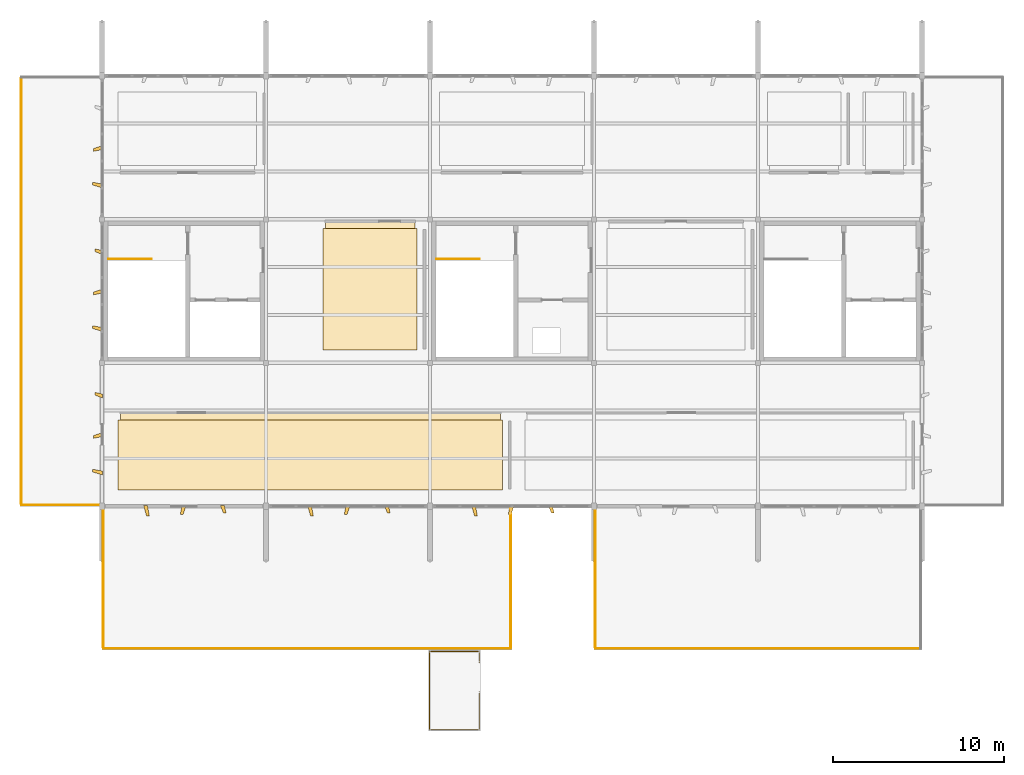
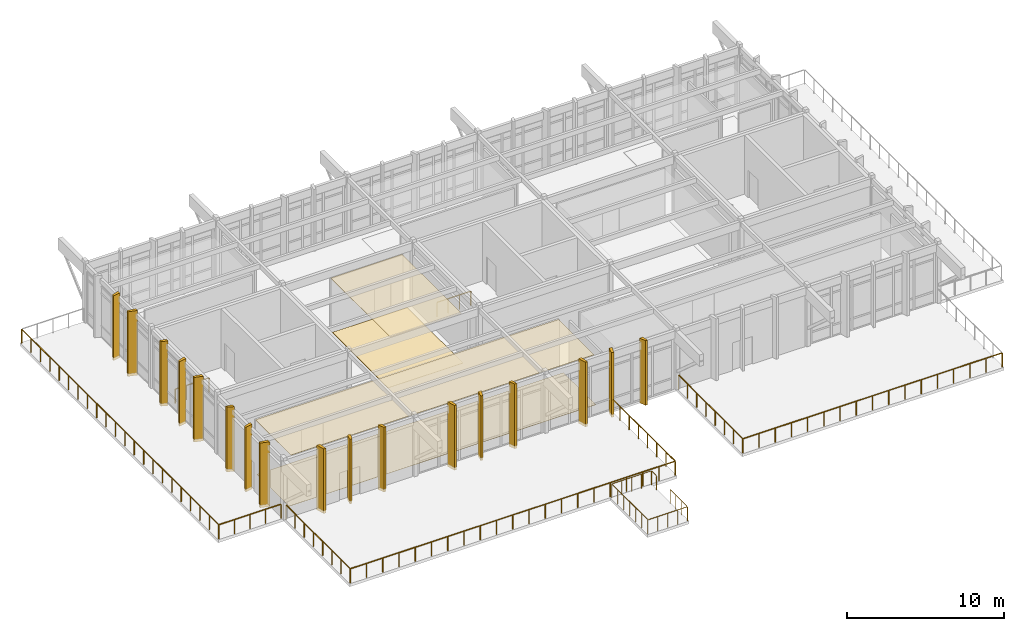
# One storey, part 17 of 19: 21 coverings, 10 railings.
"""IFC4 building model written with IfcOpenShell, lengths in metres."""

from ifc_helpers import new_model, si_unit, direction, frame, origin, origin_2d, place, context, subcontext, project, spatial, polyline, circle, outline, extrude, material, layer, layer_set, type_object, element, save


model = new_model("IFC4")

# Units and contexts
model_context = context("Model", 3, precision=1e-05, world=origin(), true_north=direction((0.0, 1.0)))
body_context = subcontext(model_context, "Body", "Model", "MODEL_VIEW")
ifc_project = project(units=[si_unit("LENGTHUNIT", "METRE"), si_unit("AREAUNIT", "SQUARE_METRE"), si_unit("VOLUMEUNIT", "CUBIC_METRE"), si_unit("PLANEANGLEUNIT", "RADIAN"), si_unit("MASSUNIT", "GRAM", prefix="KILO")], contexts=[model_context])

# Site, building, storey
site_placement = place(None, origin())
site = spatial("IfcSite", under=ifc_project, at=site_placement, CompositionType="ELEMENT")
building_placement = place(site_placement, origin())
building = spatial("IfcBuilding", under=site, at=building_placement, Name="Kolvemor Railside Polytechnic", CompositionType="ELEMENT")
storey_placement = place(building_placement, frame((0.0, 0.0, 27.0)))
storey = spatial("IfcBuildingStorey", under=building, at=storey_placement, Name="L06", CompositionType="ELEMENT", Elevation=27.0)

# Coverings
ifc_material_1 = material(Name="Perforated acoustic mineral-fibre and timber-slat ceiling", Category="wood")
ifc_layer_1 = layer(ifc_material_1, 0.02490234375, Name="COV-CEIL-1")
ifc_layer_set_1 = layer_set([ifc_layer_1], Name="Perforated acoustic mineral-fibre and timber-slat ceiling")
covering_type_1 = type_object("IfcCoveringType", Name="COV-CEIL-1", PredefinedType="CEILING", material=ifc_layer_set_1)
covering_1_placement = place(storey_placement, frame((0.0, 0.0, 3.919921875)))
element("IfcCovering", 1, at=covering_1_placement, inside=storey, type_object=covering_type_1, Name="Library Reading Commons West Acoustic Ceiling", PredefinedType="CEILING", context=body_context, shape_type="SweptSolid", body=[
    extrude(outline(polyline([(68.280029296875, 14.14990234375), (90.52001953125, 14.14990234375), (90.52001953125, 18.679931640625), (68.280029296875, 18.679931640625), (68.280029296875, 14.14990234375)])), origin(), (0.0, 0.0, 1.0), 0.025146484375),
])
ifc_material_2 = material(Name="Perforated acoustic mineral-fibre and timber-slat ceiling", Category="wood")
ifc_layer_2 = layer(ifc_material_2, 0.034912109375, Name="COV-CEIL-3")
ifc_layer_set_2 = layer_set([ifc_layer_2], Name="Perforated acoustic mineral-fibre and timber-slat ceiling")
covering_type_2 = type_object("IfcCoveringType", Name="COV-CEIL-3", PredefinedType="CEILING", material=ifc_layer_set_2)
covering_2_placement = place(storey_placement, frame((0.0, 0.0, 3.909912109375)))
element("IfcCovering", 2, at=covering_2_placement, inside=storey, type_object=covering_type_2, Name="Library Open Stacks Central Acoustic Ceiling", PredefinedType="CEILING", context=body_context, shape_type="SweptSolid", body=[
    extrude(outline(polyline([(80.280029296875, 22.35009765625), (85.52001953125, 22.35009765625), (85.52001953125, 29.8798828125), (80.280029296875, 29.8798828125), (80.280029296875, 22.35009765625)])), origin(), (0.0, 0.0, 1.0), 0.03515625),
])
ifc_material_3 = material(Name="Champagne-bronze PVDF-anodised marine aluminium 5052-H32", Category="aluminium")
ifc_layer_3 = layer(ifc_material_3, 0.179931640625, Name="COV-FIN-CHAMP")
ifc_layer_set_3 = layer_set([ifc_layer_3], Name="Champagne-bronze PVDF-anodised marine aluminium 5052-H32")
covering_type_3 = type_object("IfcCoveringType", Name="COV-FIN-CHAMP", PredefinedType="CLADDING", material=ifc_layer_set_3)
covering_3_placement = place(storey_placement, frame((0.0, 0.0, -0.219970703125)))
element("IfcCovering", 3, at=covering_3_placement, inside=storey, type_object=covering_type_3, Name="Pleated Solar Fin L06-0619", PredefinedType="CLADDING", context=body_context, shape_type="SweptSolid", body=[
    extrude(outline(polyline([(69.635009765625, 13.235107421875), (69.864990234375, 13.235107421875), (69.969970703125, 12.635009765625), (69.81005859375, 12.635009765625), (69.635009765625, 13.235107421875)])), origin(), (0.0, 0.0, 1.0), 5.02001953125),
])
covering_4_placement = place(storey_placement, frame((0.0, 0.0, -0.219970703125)))
element("IfcCovering", 4, at=covering_4_placement, inside=storey, type_object=covering_type_3, Name="Pleated Solar Fin L06-0620", PredefinedType="CLADDING", context=body_context, shape_type="SweptSolid", body=[
    extrude(outline(polyline([(71.885009765625, 13.235107421875), (72.114990234375, 13.235107421875), (71.93994140625, 12.715087890625), (71.780029296875, 12.715087890625), (71.885009765625, 13.235107421875)])), origin(), (0.0, 0.0, 1.0), 5.02001953125),
])
covering_5_placement = place(storey_placement, frame((0.0, 0.0, -0.219970703125)))
element("IfcCovering", 5, at=covering_5_placement, inside=storey, type_object=covering_type_3, Name="Pleated Solar Fin L06-0621", PredefinedType="CLADDING", context=body_context, shape_type="SweptSolid", body=[
    extrude(outline(polyline([(74.135009765625, 13.235107421875), (74.364990234375, 13.235107421875), (74.469970703125, 12.794921875), (74.31005859375, 12.794921875), (74.135009765625, 13.235107421875)])), origin(), (0.0, 0.0, 1.0), 5.02001953125),
])
covering_6_placement = place(storey_placement, frame((0.0, 0.0, -0.219970703125)))
element("IfcCovering", 6, at=covering_6_placement, inside=storey, type_object=covering_type_3, Name="Pleated Solar Fin L06-0625", PredefinedType="CLADDING", context=body_context, shape_type="SweptSolid", body=[
    extrude(outline(polyline([(79.235107421875, 13.235107421875), (79.465087890625, 13.235107421875), (79.570068359375, 12.635009765625), (79.409912109375, 12.635009765625), (79.235107421875, 13.235107421875)])), origin(), (0.0, 0.0, 1.0), 5.02001953125),
])
covering_7_placement = place(storey_placement, frame((0.0, 0.0, -0.219970703125)))
element("IfcCovering", 7, at=covering_7_placement, inside=storey, type_object=covering_type_3, Name="Pleated Solar Fin L06-0626", PredefinedType="CLADDING", context=body_context, shape_type="SweptSolid", body=[
    extrude(outline(polyline([(81.485107421875, 13.235107421875), (81.715087890625, 13.235107421875), (81.5400390625, 12.715087890625), (81.3798828125, 12.715087890625), (81.485107421875, 13.235107421875)])), origin(), (0.0, 0.0, 1.0), 5.02001953125),
])
covering_8_placement = place(storey_placement, frame((0.0, 0.0, -0.219970703125)))
element("IfcCovering", 8, at=covering_8_placement, inside=storey, type_object=covering_type_3, Name="Pleated Solar Fin L06-0627", PredefinedType="CLADDING", context=body_context, shape_type="SweptSolid", body=[
    extrude(outline(polyline([(83.735107421875, 13.235107421875), (83.965087890625, 13.235107421875), (84.070068359375, 12.794921875), (83.909912109375, 12.794921875), (83.735107421875, 13.235107421875)])), origin(), (0.0, 0.0, 1.0), 5.02001953125),
])
covering_9_placement = place(storey_placement, frame((0.0, 0.0, -0.219970703125)))
element("IfcCovering", 9, at=covering_9_placement, inside=storey, type_object=covering_type_3, Name="Pleated Solar Fin L06-0631", PredefinedType="CLADDING", context=body_context, shape_type="SweptSolid", body=[
    extrude(outline(polyline([(88.8349609375, 13.235107421875), (89.06494140625, 13.235107421875), (89.169921875, 12.635009765625), (89.010009765625, 12.635009765625), (88.8349609375, 13.235107421875)])), origin(), (0.0, 0.0, 1.0), 5.02001953125),
])
covering_10_placement = place(storey_placement, frame((0.0, 0.0, -0.219970703125)))
element("IfcCovering", 10, at=covering_10_placement, inside=storey, type_object=covering_type_3, Name="Pleated Solar Fin L06-0632", PredefinedType="CLADDING", context=body_context, shape_type="SweptSolid", body=[
    extrude(outline(polyline([(91.0849609375, 13.235107421875), (91.31494140625, 13.235107421875), (91.139892578125, 12.715087890625), (90.97998046875, 12.715087890625), (91.0849609375, 13.235107421875)])), origin(), (0.0, 0.0, 1.0), 5.02001953125),
])
covering_11_placement = place(storey_placement, frame((0.0, 0.0, -0.219970703125)))
element("IfcCovering", 11, at=covering_11_placement, inside=storey, type_object=covering_type_3, Name="Pleated Solar Fin L06-0633", PredefinedType="CLADDING", context=body_context, shape_type="SweptSolid", body=[
    extrude(outline(polyline([(93.3349609375, 13.235107421875), (93.56494140625, 13.235107421875), (93.669921875, 12.794921875), (93.510009765625, 12.794921875), (93.3349609375, 13.235107421875)])), origin(), (0.0, 0.0, 1.0), 5.02001953125),
])
covering_12_placement = place(storey_placement, frame((0.0, 0.0, -0.219970703125)))
element("IfcCovering", 12, at=covering_12_placement, inside=storey, type_object=covering_type_3, Name="Pleated Solar Fin L06-0649", PredefinedType="CLADDING", context=body_context, shape_type="SweptSolid", body=[
    extrude(outline(polyline([(67.235107421875, 15.034912109375), (67.235107421875, 15.264892578125), (66.635986328125, 15.3701171875), (66.635986328125, 15.2099609375), (67.235107421875, 15.034912109375)])), origin(), (0.0, 0.0, 1.0), 5.02001953125),
])
covering_13_placement = place(storey_placement, frame((0.0, 0.0, -0.219970703125)))
element("IfcCovering", 13, at=covering_13_placement, inside=storey, type_object=covering_type_3, Name="Pleated Solar Fin L06-0650", PredefinedType="CLADDING", context=body_context, shape_type="SweptSolid", body=[
    extrude(outline(polyline([(67.235107421875, 17.284912109375), (67.235107421875, 17.514892578125), (66.715087890625, 17.340087890625), (66.715087890625, 17.179931640625), (67.235107421875, 17.284912109375)])), origin(), (0.0, 0.0, 1.0), 5.02001953125),
])
covering_14_placement = place(storey_placement, frame((0.0, 0.0, -0.219970703125)))
element("IfcCovering", 14, at=covering_14_placement, inside=storey, type_object=covering_type_3, Name="Pleated Solar Fin L06-0651", PredefinedType="CLADDING", context=body_context, shape_type="SweptSolid", body=[
    extrude(outline(polyline([(67.235107421875, 19.534912109375), (67.235107421875, 19.764892578125), (66.7939453125, 19.8701171875), (66.7939453125, 19.7099609375), (67.235107421875, 19.534912109375)])), origin(), (0.0, 0.0, 1.0), 5.02001953125),
])
covering_15_placement = place(storey_placement, frame((0.0, 0.0, -0.219970703125)))
element("IfcCovering", 15, at=covering_15_placement, inside=storey, type_object=covering_type_3, Name="Pleated Solar Fin L06-0655", PredefinedType="CLADDING", context=body_context, shape_type="SweptSolid", body=[
    extrude(outline(polyline([(67.235107421875, 23.43505859375), (67.235107421875, 23.6650390625), (66.635986328125, 23.77001953125), (66.635986328125, 23.610107421875), (67.235107421875, 23.43505859375)])), origin(), (0.0, 0.0, 1.0), 5.02001953125),
])
covering_16_placement = place(storey_placement, frame((0.0, 0.0, -0.219970703125)))
element("IfcCovering", 16, at=covering_16_placement, inside=storey, type_object=covering_type_3, Name="Pleated Solar Fin L06-0656", PredefinedType="CLADDING", context=body_context, shape_type="SweptSolid", body=[
    extrude(outline(polyline([(67.235107421875, 25.68505859375), (67.235107421875, 25.9150390625), (66.715087890625, 25.739990234375), (66.715087890625, 25.580078125), (67.235107421875, 25.68505859375)])), origin(), (0.0, 0.0, 1.0), 5.02001953125),
])
covering_17_placement = place(storey_placement, frame((0.0, 0.0, -0.219970703125)))
element("IfcCovering", 17, at=covering_17_placement, inside=storey, type_object=covering_type_3, Name="Pleated Solar Fin L06-0657", PredefinedType="CLADDING", context=body_context, shape_type="SweptSolid", body=[
    extrude(outline(polyline([(67.235107421875, 27.93505859375), (67.235107421875, 28.1650390625), (66.7939453125, 28.27001953125), (66.7939453125, 28.110107421875), (67.235107421875, 27.93505859375)])), origin(), (0.0, 0.0, 1.0), 5.02001953125),
])
covering_18_placement = place(storey_placement, frame((0.0, 0.0, -0.219970703125)))
element("IfcCovering", 18, at=covering_18_placement, inside=storey, type_object=covering_type_3, Name="Pleated Solar Fin L06-0661", PredefinedType="CLADDING", context=body_context, shape_type="SweptSolid", body=[
    extrude(outline(polyline([(67.235107421875, 31.8349609375), (67.235107421875, 32.06494140625), (66.635986328125, 32.169921875), (66.635986328125, 32.010009765625), (67.235107421875, 31.8349609375)])), origin(), (0.0, 0.0, 1.0), 5.02001953125),
])
covering_19_placement = place(storey_placement, frame((0.0, 0.0, -0.219970703125)))
element("IfcCovering", 19, at=covering_19_placement, inside=storey, type_object=covering_type_3, Name="Pleated Solar Fin L06-0662", PredefinedType="CLADDING", context=body_context, shape_type="SweptSolid", body=[
    extrude(outline(polyline([(67.235107421875, 34.0849609375), (67.235107421875, 34.31494140625), (66.715087890625, 34.139892578125), (66.715087890625, 33.97998046875), (67.235107421875, 34.0849609375)])), origin(), (0.0, 0.0, 1.0), 5.02001953125),
])
ifc_material_4 = material(Name="Polished coral-aggregate terrazzo and laboratory epoxy flooring")
ifc_layer_4 = layer(ifc_material_4, 0.02001953125, Name="COV-FLR-1")
ifc_layer_set_4 = layer_set([ifc_layer_4], Name="Polished coral-aggregate terrazzo and laboratory epoxy flooring")
covering_type_4 = type_object("IfcCoveringType", Name="COV-FLR-1", PredefinedType="FLOORING", material=ifc_layer_set_4)
covering_20_placement = place(storey_placement, origin())
element("IfcCovering", 20, at=covering_20_placement, inside=storey, type_object=covering_type_4, Name="Library Reading Commons West Floor Finish", PredefinedType="FLOORING", context=body_context, shape_type="SweptSolid", body=[
    extrude(outline(polyline([(68.14990234375, 14.14990234375), (90.64990234375, 14.14990234375), (90.64990234375, 18.25), (68.14990234375, 18.25), (68.14990234375, 14.14990234375)])), origin(), (0.0, 0.0, 1.0), 0.02001953125),
])
ifc_material_5 = material(Name="Polished coral-aggregate terrazzo and laboratory epoxy flooring")
ifc_layer_5 = layer(ifc_material_5, 0.030029296875, Name="COV-FLR-3")
ifc_layer_set_5 = layer_set([ifc_layer_5], Name="Polished coral-aggregate terrazzo and laboratory epoxy flooring")
covering_type_5 = type_object("IfcCoveringType", Name="COV-FLR-3", PredefinedType="FLOORING", material=ifc_layer_set_5)
covering_21_placement = place(storey_placement, origin())
element("IfcCovering", 21, at=covering_21_placement, inside=storey, type_object=covering_type_5, Name="Library Open Stacks Central Floor Finish", PredefinedType="FLOORING", context=body_context, shape_type="SweptSolid", body=[
    extrude(outline(polyline([(80.14990234375, 22.35009765625), (85.64990234375, 22.35009765625), (85.64990234375, 29.449951171875), (80.14990234375, 29.449951171875), (80.14990234375, 22.35009765625)])), origin(), (0.0, 0.0, 1.0), 0.030029296875),
])

# Railings
ifc_material_6 = material(Name="AISI 316 marine stainless-steel balustrade guard", Category="steel")
railing_type = type_object("IfcRailingType", Name="RLG-GUARD-1120", PredefinedType="BALUSTRADE", material=ifc_material_6)
railing_1_placement = place(storey_placement, frame((67.280029296875, 4.8798828125, 0.0)))
element("IfcRailing", 22, at=railing_1_placement, inside=storey, type_object=railing_type, Name="Corner Study Terrace L06-S S Guard GR-042", PredefinedType="BALUSTRADE", context=body_context, shape_type="SweptSolid", body=[
    extrude(circle(Radius=0.02392578125, at=origin_2d()), frame((0.054931640625, 0.0, 1.09619140625), z_axis=(1.0, 0.0, 0.0), x_axis=(0.0, 1.0, 0.0)), (0.0, 0.0, 1.0), 23.72998046875),
    extrude(circle(Radius=0.02099609375, at=origin_2d()), origin(), (0.0, 0.0, 1.0), 1.05712890625),
    extrude(circle(Radius=0.02099609375, at=origin_2d()), frame((1.19189453125, 0.0, 0.0)), (0.0, 0.0, 1.0), 1.05712890625),
    extrude(circle(Radius=0.02099609375, at=origin_2d()), frame((2.384033203125, 0.0, 0.0)), (0.0, 0.0, 1.0), 1.05712890625),
    extrude(circle(Radius=0.02099609375, at=origin_2d()), frame((3.575927734375, 0.0, 0.0)), (0.0, 0.0, 1.0), 1.05712890625),
    extrude(circle(Radius=0.02099609375, at=origin_2d()), frame((4.76806640625, 0.0, 0.0)), (0.0, 0.0, 1.0), 1.05712890625),
    extrude(circle(Radius=0.02099609375, at=origin_2d()), frame((5.9599609375, 0.0, 0.0)), (0.0, 0.0, 1.0), 1.05712890625),
    extrude(circle(Radius=0.02099609375, at=origin_2d()), frame((7.152099609375, 0.0, 0.0)), (0.0, 0.0, 1.0), 1.05712890625),
    extrude(circle(Radius=0.02099609375, at=origin_2d()), frame((8.343994140625, 0.0, 0.0)), (0.0, 0.0, 1.0), 1.05712890625),
    extrude(circle(Radius=0.02099609375, at=origin_2d()), frame((9.5361328125, 0.0, 0.0)), (0.0, 0.0, 1.0), 1.05712890625),
    extrude(circle(Radius=0.02099609375, at=origin_2d()), frame((10.72802734375, 0.0, 0.0)), (0.0, 0.0, 1.0), 1.05712890625),
    extrude(circle(Radius=0.02099609375, at=origin_2d()), frame((11.919921875, 0.0, 0.0)), (0.0, 0.0, 1.0), 1.05712890625),
    extrude(circle(Radius=0.02099609375, at=origin_2d()), frame((13.112060546875, 0.0, 0.0)), (0.0, 0.0, 1.0), 1.05712890625),
    extrude(circle(Radius=0.02099609375, at=origin_2d()), frame((14.303955078125, 0.0, 0.0)), (0.0, 0.0, 1.0), 1.05712890625),
    extrude(circle(Radius=0.02099609375, at=origin_2d()), frame((15.49609375, 0.0, 0.0)), (0.0, 0.0, 1.0), 1.05712890625),
    extrude(circle(Radius=0.02099609375, at=origin_2d()), frame((16.68798828125, 0.0, 0.0)), (0.0, 0.0, 1.0), 1.05712890625),
    extrude(circle(Radius=0.02099609375, at=origin_2d()), frame((17.880126953125, 0.0, 0.0)), (0.0, 0.0, 1.0), 1.05712890625),
    extrude(circle(Radius=0.02099609375, at=origin_2d()), frame((19.072021484375, 0.0, 0.0)), (0.0, 0.0, 1.0), 1.05712890625),
    extrude(circle(Radius=0.02099609375, at=origin_2d()), frame((20.26416015625, 0.0, 0.0)), (0.0, 0.0, 1.0), 1.05712890625),
    extrude(circle(Radius=0.02099609375, at=origin_2d()), frame((21.4560546875, 0.0, 0.0)), (0.0, 0.0, 1.0), 1.05712890625),
    extrude(circle(Radius=0.02099609375, at=origin_2d()), frame((22.648193359375, 0.0, 0.0)), (0.0, 0.0, 1.0), 1.05712890625),
    extrude(circle(Radius=0.02099609375, at=origin_2d()), frame((23.840087890625, 0.0, 0.0)), (0.0, 0.0, 1.0), 1.05712890625),
])
railing_2_placement = place(storey_placement, frame((91.1201171875, 4.8798828125, 0.0)))
element("IfcRailing", 23, at=railing_2_placement, inside=storey, type_object=railing_type, Name="Corner Study Terrace L06-S E Guard GR-043", PredefinedType="BALUSTRADE", context=body_context, shape_type="SweptSolid", body=[
    extrude(circle(Radius=0.02392578125, at=origin_2d()), frame((0.0, 0.054931640625, 1.09619140625), z_axis=(0.0, 1.0, 0.0), x_axis=(-1.0, 0.0, 0.0)), (0.0, 0.0, 1.0), 8.070068359375),
    extrude(circle(Radius=0.02099609375, at=origin_2d()), origin(), (0.0, 0.0, 1.0), 1.05712890625),
    extrude(circle(Radius=0.02099609375, at=origin_2d()), frame((0.0, 1.168701171875, 0.0)), (0.0, 0.0, 1.0), 1.05712890625),
    extrude(circle(Radius=0.02099609375, at=origin_2d()), frame((0.0, 2.337158203125, 0.0)), (0.0, 0.0, 1.0), 1.05712890625),
    extrude(circle(Radius=0.02099609375, at=origin_2d()), frame((0.0, 3.505859375, 0.0)), (0.0, 0.0, 1.0), 1.05712890625),
    extrude(circle(Radius=0.02099609375, at=origin_2d()), frame((0.0, 4.67431640625, 0.0)), (0.0, 0.0, 1.0), 1.05712890625),
    extrude(circle(Radius=0.02099609375, at=origin_2d()), frame((0.0, 5.843017578125, 0.0)), (0.0, 0.0, 1.0), 1.05712890625),
    extrude(circle(Radius=0.02099609375, at=origin_2d()), frame((0.0, 7.011474609375, 0.0)), (0.0, 0.0, 1.0), 1.05712890625),
    extrude(circle(Radius=0.02099609375, at=origin_2d()), frame((0.0, 8.18017578125, 0.0)), (0.0, 0.0, 1.0), 1.05712890625),
])
railing_3_placement = place(storey_placement, frame((67.280029296875, 13.06005859375, 0.0)))
element("IfcRailing", 24, at=railing_3_placement, inside=storey, type_object=railing_type, Name="Corner Study Terrace L06-S W Guard GR-044", PredefinedType="BALUSTRADE", context=body_context, shape_type="SweptSolid", body=[
    extrude(circle(Radius=0.02392578125, at=origin_2d()), frame((0.0, -0.054931640625, 1.09619140625), z_axis=(0.0, -1.0, 0.0), x_axis=(1.0, 0.0, 0.0)), (0.0, 0.0, 1.0), 8.070068359375),
    extrude(circle(Radius=0.02099609375, at=origin_2d()), origin(), (0.0, 0.0, 1.0), 1.05712890625),
    extrude(circle(Radius=0.02099609375, at=origin_2d()), frame((0.0, -1.168701171875, 0.0)), (0.0, 0.0, 1.0), 1.05712890625),
    extrude(circle(Radius=0.02099609375, at=origin_2d()), frame((0.0, -2.337158203125, 0.0)), (0.0, 0.0, 1.0), 1.05712890625),
    extrude(circle(Radius=0.02099609375, at=origin_2d()), frame((0.0, -3.505859375, 0.0)), (0.0, 0.0, 1.0), 1.05712890625),
    extrude(circle(Radius=0.02099609375, at=origin_2d()), frame((0.0, -4.67431640625, 0.0)), (0.0, 0.0, 1.0), 1.05712890625),
    extrude(circle(Radius=0.02099609375, at=origin_2d()), frame((0.0, -5.843017578125, 0.0)), (0.0, 0.0, 1.0), 1.05712890625),
    extrude(circle(Radius=0.02099609375, at=origin_2d()), frame((0.0, -7.011474609375, 0.0)), (0.0, 0.0, 1.0), 1.05712890625),
    extrude(circle(Radius=0.02099609375, at=origin_2d()), frame((0.0, -8.18017578125, 0.0)), (0.0, 0.0, 1.0), 1.05712890625),
])
railing_4_placement = place(storey_placement, frame((96.080078125, 4.8798828125, 0.0)))
element("IfcRailing", 25, at=railing_4_placement, inside=storey, type_object=railing_type, Name="Corner Study Terrace L06-SE S Guard GR-045", PredefinedType="BALUSTRADE", context=body_context, shape_type="SweptSolid", body=[
    extrude(circle(Radius=0.02392578125, at=origin_2d()), frame((0.054931640625, 0.0, 1.09619140625), z_axis=(1.0, 0.0, 0.0), x_axis=(0.0, 1.0, 0.0)), (0.0, 0.0, 1.0), 18.929931640625),
    extrude(circle(Radius=0.02099609375, at=origin_2d()), origin(), (0.0, 0.0, 1.0), 1.05712890625),
    extrude(circle(Radius=0.02099609375, at=origin_2d()), frame((1.18994140625, 0.0, 0.0)), (0.0, 0.0, 1.0), 1.05712890625),
    extrude(circle(Radius=0.02099609375, at=origin_2d()), frame((2.3798828125, 0.0, 0.0)), (0.0, 0.0, 1.0), 1.05712890625),
    extrude(circle(Radius=0.02099609375, at=origin_2d()), frame((3.570068359375, 0.0, 0.0)), (0.0, 0.0, 1.0), 1.05712890625),
    extrude(circle(Radius=0.02099609375, at=origin_2d()), frame((4.760009765625, 0.0, 0.0)), (0.0, 0.0, 1.0), 1.05712890625),
    extrude(circle(Radius=0.02099609375, at=origin_2d()), frame((5.949951171875, 0.0, 0.0)), (0.0, 0.0, 1.0), 1.05712890625),
    extrude(circle(Radius=0.02099609375, at=origin_2d()), frame((7.14013671875, 0.0, 0.0)), (0.0, 0.0, 1.0), 1.05712890625),
    extrude(circle(Radius=0.02099609375, at=origin_2d()), frame((8.330078125, 0.0, 0.0)), (0.0, 0.0, 1.0), 1.05712890625),
    extrude(circle(Radius=0.02099609375, at=origin_2d()), frame((9.52001953125, 0.0, 0.0)), (0.0, 0.0, 1.0), 1.05712890625),
    extrude(circle(Radius=0.02099609375, at=origin_2d()), frame((10.7099609375, 0.0, 0.0)), (0.0, 0.0, 1.0), 1.05712890625),
    extrude(circle(Radius=0.02099609375, at=origin_2d()), frame((11.89990234375, 0.0, 0.0)), (0.0, 0.0, 1.0), 1.05712890625),
    extrude(circle(Radius=0.02099609375, at=origin_2d()), frame((13.090087890625, 0.0, 0.0)), (0.0, 0.0, 1.0), 1.05712890625),
    extrude(circle(Radius=0.02099609375, at=origin_2d()), frame((14.280029296875, 0.0, 0.0)), (0.0, 0.0, 1.0), 1.05712890625),
    extrude(circle(Radius=0.02099609375, at=origin_2d()), frame((15.469970703125, 0.0, 0.0)), (0.0, 0.0, 1.0), 1.05712890625),
    extrude(circle(Radius=0.02099609375, at=origin_2d()), frame((16.66015625, 0.0, 0.0)), (0.0, 0.0, 1.0), 1.05712890625),
    extrude(circle(Radius=0.02099609375, at=origin_2d()), frame((17.85009765625, 0.0, 0.0)), (0.0, 0.0, 1.0), 1.05712890625),
    extrude(circle(Radius=0.02099609375, at=origin_2d()), frame((19.0400390625, 0.0, 0.0)), (0.0, 0.0, 1.0), 1.05712890625),
])
railing_5_placement = place(storey_placement, frame((96.080078125, 13.06005859375, 0.0)))
element("IfcRailing", 26, at=railing_5_placement, inside=storey, type_object=railing_type, Name="Corner Study Terrace L06-SE W Guard GR-047", PredefinedType="BALUSTRADE", context=body_context, shape_type="SweptSolid", body=[
    extrude(circle(Radius=0.02392578125, at=origin_2d()), frame((0.0, -0.054931640625, 1.09619140625), z_axis=(0.0, -1.0, 0.0), x_axis=(1.0, 0.0, 0.0)), (0.0, 0.0, 1.0), 8.070068359375),
    extrude(circle(Radius=0.02099609375, at=origin_2d()), origin(), (0.0, 0.0, 1.0), 1.05712890625),
    extrude(circle(Radius=0.02099609375, at=origin_2d()), frame((0.0, -1.168701171875, 0.0)), (0.0, 0.0, 1.0), 1.05712890625),
    extrude(circle(Radius=0.02099609375, at=origin_2d()), frame((0.0, -2.337158203125, 0.0)), (0.0, 0.0, 1.0), 1.05712890625),
    extrude(circle(Radius=0.02099609375, at=origin_2d()), frame((0.0, -3.505859375, 0.0)), (0.0, 0.0, 1.0), 1.05712890625),
    extrude(circle(Radius=0.02099609375, at=origin_2d()), frame((0.0, -4.67431640625, 0.0)), (0.0, 0.0, 1.0), 1.05712890625),
    extrude(circle(Radius=0.02099609375, at=origin_2d()), frame((0.0, -5.843017578125, 0.0)), (0.0, 0.0, 1.0), 1.05712890625),
    extrude(circle(Radius=0.02099609375, at=origin_2d()), frame((0.0, -7.011474609375, 0.0)), (0.0, 0.0, 1.0), 1.05712890625),
    extrude(circle(Radius=0.02099609375, at=origin_2d()), frame((0.0, -8.18017578125, 0.0)), (0.0, 0.0, 1.0), 1.05712890625),
])
railing_6_placement = place(storey_placement, frame((62.47998046875, 13.280029296875, 0.0)))
element("IfcRailing", 27, at=railing_6_placement, inside=storey, type_object=railing_type, Name="Corner Study Terrace L06-W S Guard GR-048", PredefinedType="BALUSTRADE", context=body_context, shape_type="SweptSolid", body=[
    extrude(circle(Radius=0.02392578125, at=origin_2d()), frame((0.054931640625, 0.0, 1.09619140625), z_axis=(1.0, 0.0, 0.0), x_axis=(0.0, 1.0, 0.0)), (0.0, 0.0, 1.0), 4.469970703125),
    extrude(circle(Radius=0.02099609375, at=origin_2d()), origin(), (0.0, 0.0, 1.0), 1.05712890625),
    extrude(circle(Radius=0.02099609375, at=origin_2d()), frame((1.14501953125, 0.0, 0.0)), (0.0, 0.0, 1.0), 1.05712890625),
    extrude(circle(Radius=0.02099609375, at=origin_2d()), frame((2.2900390625, 0.0, 0.0)), (0.0, 0.0, 1.0), 1.05712890625),
    extrude(circle(Radius=0.02099609375, at=origin_2d()), frame((3.43505859375, 0.0, 0.0)), (0.0, 0.0, 1.0), 1.05712890625),
    extrude(circle(Radius=0.02099609375, at=origin_2d()), frame((4.580078125, 0.0, 0.0)), (0.0, 0.0, 1.0), 1.05712890625),
])
railing_7_placement = place(storey_placement, frame((62.47998046875, 38.320068359375, 0.0)))
element("IfcRailing", 28, at=railing_7_placement, inside=storey, type_object=railing_type, Name="Corner Study Terrace L06-W W Guard GR-050", PredefinedType="BALUSTRADE", context=body_context, shape_type="SweptSolid", body=[
    extrude(circle(Radius=0.02392578125, at=origin_2d()), frame((0.0, -0.054931640625, 1.09619140625), z_axis=(0.0, -1.0, 0.0), x_axis=(1.0, 0.0, 0.0)), (0.0, 0.0, 1.0), 24.929931640625),
    extrude(circle(Radius=0.02099609375, at=origin_2d()), origin(), (0.0, 0.0, 1.0), 1.05712890625),
    extrude(circle(Radius=0.02099609375, at=origin_2d()), frame((0.0, -1.1923828125, 0.0)), (0.0, 0.0, 1.0), 1.05712890625),
    extrude(circle(Radius=0.02099609375, at=origin_2d()), frame((0.0, -2.384765625, 0.0)), (0.0, 0.0, 1.0), 1.05712890625),
    extrude(circle(Radius=0.02099609375, at=origin_2d()), frame((0.0, -3.5771484375, 0.0)), (0.0, 0.0, 1.0), 1.05712890625),
    extrude(circle(Radius=0.02099609375, at=origin_2d()), frame((0.0, -4.76953125, 0.0)), (0.0, 0.0, 1.0), 1.05712890625),
    extrude(circle(Radius=0.02099609375, at=origin_2d()), frame((0.0, -5.9619140625, 0.0)), (0.0, 0.0, 1.0), 1.05712890625),
    extrude(circle(Radius=0.02099609375, at=origin_2d()), frame((0.0, -7.154296875, 0.0)), (0.0, 0.0, 1.0), 1.05712890625),
    extrude(circle(Radius=0.02099609375, at=origin_2d()), frame((0.0, -8.3466796875, 0.0)), (0.0, 0.0, 1.0), 1.05712890625),
    extrude(circle(Radius=0.02099609375, at=origin_2d()), frame((0.0, -9.5390625, 0.0)), (0.0, 0.0, 1.0), 1.05712890625),
    extrude(circle(Radius=0.02099609375, at=origin_2d()), frame((0.0, -10.7314453125, 0.0)), (0.0, 0.0, 1.0), 1.05712890625),
    extrude(circle(Radius=0.02099609375, at=origin_2d()), frame((0.0, -11.923828125, 0.0)), (0.0, 0.0, 1.0), 1.05712890625),
    extrude(circle(Radius=0.02099609375, at=origin_2d()), frame((0.0, -13.1162109375, 0.0)), (0.0, 0.0, 1.0), 1.05712890625),
    extrude(circle(Radius=0.02099609375, at=origin_2d()), frame((0.0, -14.30859375, 0.0)), (0.0, 0.0, 1.0), 1.05712890625),
    extrude(circle(Radius=0.02099609375, at=origin_2d()), frame((0.0, -15.5009765625, 0.0)), (0.0, 0.0, 1.0), 1.05712890625),
    extrude(circle(Radius=0.02099609375, at=origin_2d()), frame((0.0, -16.693359375, 0.0)), (0.0, 0.0, 1.0), 1.05712890625),
    extrude(circle(Radius=0.02099609375, at=origin_2d()), frame((0.0, -17.8857421875, 0.0)), (0.0, 0.0, 1.0), 1.05712890625),
    extrude(circle(Radius=0.02099609375, at=origin_2d()), frame((0.0, -19.078125, 0.0)), (0.0, 0.0, 1.0), 1.05712890625),
    extrude(circle(Radius=0.02099609375, at=origin_2d()), frame((0.0, -20.2705078125, 0.0)), (0.0, 0.0, 1.0), 1.05712890625),
    extrude(circle(Radius=0.02099609375, at=origin_2d()), frame((0.0, -21.462890625, 0.0)), (0.0, 0.0, 1.0), 1.05712890625),
    extrude(circle(Radius=0.02099609375, at=origin_2d()), frame((0.0, -22.6552734375, 0.0)), (0.0, 0.0, 1.0), 1.05712890625),
    extrude(circle(Radius=0.02099609375, at=origin_2d()), frame((0.0, -23.84765625, 0.0)), (0.0, 0.0, 1.0), 1.05712890625),
    extrude(circle(Radius=0.02099609375, at=origin_2d()), frame((0.0, -25.0400390625, 0.0)), (0.0, 0.0, 1.0), 1.05712890625),
])
for number, where, name in (
    (29, (67.60009765625, 27.679931640625, 0.0), "ST-1 Top Well Guard L06"),
    (30, (86.800048828125, 27.679931640625, 0.0), "ST-3 Top Well Guard L06"),
):
    element("IfcRailing", number, at=place(storey_placement, frame(where)), inside=storey, type_object=railing_type, Name=name, PredefinedType="BALUSTRADE", context=body_context, shape_type="SweptSolid", body=[
        extrude(circle(Radius=0.02392578125, at=origin_2d()), frame((0.054931640625, 0.0, 1.09619140625), z_axis=(1.0, 0.0, 0.0), x_axis=(0.0, 1.0, 0.0)), (0.0, 0.0, 1.0), 2.369873046875),
        extrude(circle(Radius=0.02099609375, at=origin_2d()), origin(), (0.0, 0.0, 1.0), 1.05712890625),
        extrude(circle(Radius=0.02099609375, at=origin_2d()), frame((0.82666015625, 0.0, 0.0)), (0.0, 0.0, 1.0), 1.05712890625),
        extrude(circle(Radius=0.02099609375, at=origin_2d()), frame((1.6533203125, 0.0, 0.0)), (0.0, 0.0, 1.0), 1.05712890625),
        extrude(circle(Radius=0.02099609375, at=origin_2d()), frame((2.47998046875, 0.0, 0.0)), (0.0, 0.0, 1.0), 1.05712890625),
    ])
railing_8_placement = place(storey_placement, frame((89.280029296875, 2.340087890625, 0.0)))
element("IfcRailing", 31, at=railing_8_placement, inside=storey, type_object=railing_type, Name="ST-EXT Arrival Landing Perimeter Guard L06", PredefinedType="BALUSTRADE", context=body_context, shape_type="SweptSolid", body=[
    extrude(circle(Radius=0.02392578125, at=origin_2d()), frame((0.0, -0.054931640625, 1.09619140625), z_axis=(0.0, -1.0, 0.0), x_axis=(1.0, 0.0, 0.0)), (0.0, 0.0, 1.0), 2.10986328125),
    extrude(circle(Radius=0.02392578125, at=origin_2d()), frame((-0.054931640625, -2.219970703125, 1.09619140625), z_axis=(-1.0, 0.0, 0.0), x_axis=(0.0, -1.0, 0.0)), (0.0, 0.0, 1.0), 2.7998046875),
    extrude(circle(Radius=0.02392578125, at=origin_2d()), frame((-2.909912109375, -2.1650390625, 1.09619140625), z_axis=(0.0, 1.0, 0.0), x_axis=(-1.0, 0.0, 0.0)), (0.0, 0.0, 1.0), 4.479736328125),
    extrude(circle(Radius=0.02392578125, at=origin_2d()), frame((-2.85498046875, 2.369873046875, 1.09619140625), z_axis=(1.0, 0.0, 0.0), x_axis=(0.0, 1.0, 0.0)), (0.0, 0.0, 1.0), 2.7998046875),
    extrude(circle(Radius=0.02392578125, at=origin_2d()), frame((0.0, 2.31494140625, 1.09619140625), z_axis=(0.0, -1.0, 0.0), x_axis=(1.0, 0.0, 0.0)), (0.0, 0.0, 1.0), 0.539794921875),
    extrude(circle(Radius=0.02099609375, at=origin_2d()), origin(), (0.0, 0.0, 1.0), 1.05712890625),
    extrude(circle(Radius=0.02099609375, at=origin_2d()), frame((0.0, -0.739990234375, 0.0)), (0.0, 0.0, 1.0), 1.05712890625),
    extrude(circle(Radius=0.02099609375, at=origin_2d()), frame((0.0, -1.47998046875, 0.0)), (0.0, 0.0, 1.0), 1.05712890625),
    extrude(circle(Radius=0.02099609375, at=origin_2d()), frame((0.0, -2.219970703125, 0.0)), (0.0, 0.0, 1.0), 1.05712890625),
    extrude(circle(Radius=0.02099609375, at=origin_2d()), frame((-0.7275390625, -2.219970703125, 0.0)), (0.0, 0.0, 1.0), 1.05712890625),
    extrude(circle(Radius=0.02099609375, at=origin_2d()), frame((-1.455078125, -2.219970703125, 0.0)), (0.0, 0.0, 1.0), 1.05712890625),
    extrude(circle(Radius=0.02099609375, at=origin_2d()), frame((-2.182373046875, -2.219970703125, 0.0)), (0.0, 0.0, 1.0), 1.05712890625),
    extrude(circle(Radius=0.02099609375, at=origin_2d()), frame((-2.909912109375, -2.219970703125, 0.0)), (0.0, 0.0, 1.0), 1.05712890625),
    extrude(circle(Radius=0.02099609375, at=origin_2d()), frame((-2.909912109375, -1.455078125, 0.0)), (0.0, 0.0, 1.0), 1.05712890625),
    extrude(circle(Radius=0.02099609375, at=origin_2d()), frame((-2.909912109375, -0.68994140625, 0.0)), (0.0, 0.0, 1.0), 1.05712890625),
    extrude(circle(Radius=0.02099609375, at=origin_2d()), frame((-2.909912109375, 0.074951171875, 0.0)), (0.0, 0.0, 1.0), 1.05712890625),
    extrude(circle(Radius=0.02099609375, at=origin_2d()), frame((-2.909912109375, 0.83984375, 0.0)), (0.0, 0.0, 1.0), 1.05712890625),
    extrude(circle(Radius=0.02099609375, at=origin_2d()), frame((-2.909912109375, 1.60498046875, 0.0)), (0.0, 0.0, 1.0), 1.05712890625),
    extrude(circle(Radius=0.02099609375, at=origin_2d()), frame((-2.909912109375, 2.369873046875, 0.0)), (0.0, 0.0, 1.0), 1.05712890625),
    extrude(circle(Radius=0.02099609375, at=origin_2d()), frame((-2.182373046875, 2.369873046875, 0.0)), (0.0, 0.0, 1.0), 1.05712890625),
    extrude(circle(Radius=0.02099609375, at=origin_2d()), frame((-1.455078125, 2.369873046875, 0.0)), (0.0, 0.0, 1.0), 1.05712890625),
    extrude(circle(Radius=0.02099609375, at=origin_2d()), frame((-0.7275390625, 2.369873046875, 0.0)), (0.0, 0.0, 1.0), 1.05712890625),
    extrude(circle(Radius=0.02099609375, at=origin_2d()), frame((0.0, 2.369873046875, 0.0)), (0.0, 0.0, 1.0), 1.05712890625),
    extrude(circle(Radius=0.02099609375, at=origin_2d()), frame((0.0, 1.719970703125, 0.0)), (0.0, 0.0, 1.0), 1.05712890625),
])

save(model, "model.ifc")
